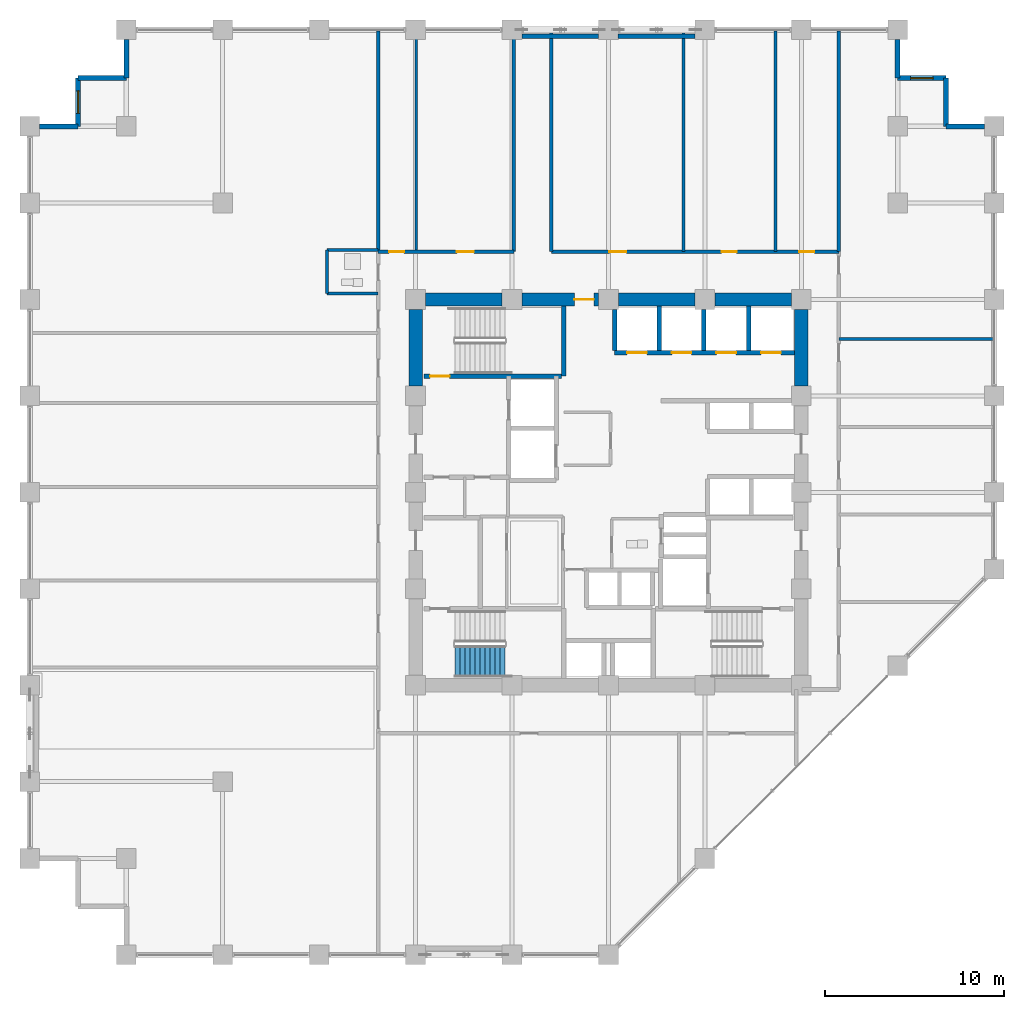
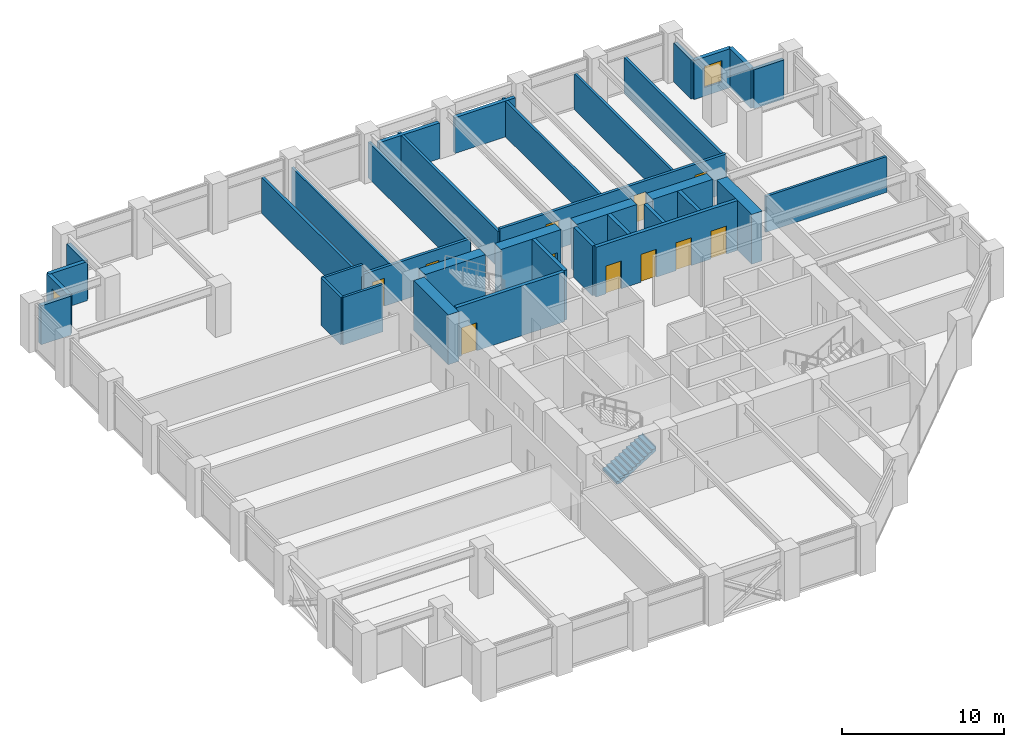
# One storey, part 21 of 25: 36 walls, 11 doors, 2 windows, 1 stair flight, 13 openings, 1 element without a shape of its own.
"""IFC4 building model written with IfcOpenShell, lengths in metres."""

import ifcopenshell
import ifcopenshell.guid

model = None  # the IFC model being written
_history = None  # IfcOwnerHistory: only IFC2X3 demands one
_inside = {}  # id of a spatial element -> (the spatial element, [elements in it])
_under = {}  # id of a project, library or spatial element -> (it, [spatial elements below it])
_declared = {}  # id of a project -> (the project, [libraries it declares])
_typed = {}  # id of a type object -> (the type object, [elements of that type])
_made_of = {}  # id of a material, layer set ... -> (it, [elements and type objects made of it])


def new_model(schema):
    """Start an empty IFC model of exactly this schema.

    Asked for "IFC4X3", IfcOpenShell would pick the latest addendum, in which some entities
    have other attributes; the version numbers below select the first issue.
    IFC2X3 requires an IfcOwnerHistory on every rooted entity: one is made here for all.
    """
    global model, _history
    if schema == "IFC4X3":
        model = ifcopenshell.file(schema_version=(4, 3, 0, 0))
    else:
        model = ifcopenshell.file(schema=schema)
    _inside.clear()
    _under.clear()
    _declared.clear()
    _typed.clear()
    _made_of.clear()
    _history = None
    if model.schema == "IFC2X3":
        org = make("IfcOrganization", Name="unknown")
        user = make(
            "IfcPersonAndOrganization",
            ThePerson=make("IfcPerson", FamilyName="unknown"),
            TheOrganization=org,
        )
        app = make(
            "IfcApplication",
            ApplicationDeveloper=org,
            Version="unknown",
            ApplicationFullName="unknown",
            ApplicationIdentifier="unknown",
        )
        _history = make(
            "IfcOwnerHistory",
            OwningUser=user,
            OwningApplication=app,
            ChangeAction="ADDED",
            CreationDate=0,
        )
    return model


def make(cls, **values):
    """One entity of the class cls with the attributes given. An attribute that is None is left unset."""
    return model.create_entity(
        cls, **{name: value for name, value in values.items() if value is not None}
    )


def rooted(cls, **values):
    """An entity with a GlobalId (a new one), such as an element, a storey or a relation."""
    return make(cls, GlobalId=ifcopenshell.guid.new(), OwnerHistory=_history, **values)


def si_unit(unit_type, name, prefix=None):
    """IfcSIUnit, for example si_unit("LENGTHUNIT", "METRE", prefix="MILLI")."""
    return make("IfcSIUnit", UnitType=unit_type, Prefix=prefix, Name=name)


def assignment(units):
    """IfcUnitAssignment: the units of a project."""
    return None if units is None else make("IfcUnitAssignment", Units=units)


def point(xyz):
    """IfcCartesianPoint."""
    return None if xyz is None else make("IfcCartesianPoint", Coordinates=xyz)


def direction(xyz):
    """IfcDirection."""
    return None if xyz is None else make("IfcDirection", DirectionRatios=xyz)


def frame(location, z_axis=None, x_axis=None):
    """IfcAxis2Placement3D, a coordinate frame: its origin and axes. An axis left out is left unset."""
    return make(
        "IfcAxis2Placement3D",
        Location=point(location),
        Axis=direction(z_axis),
        RefDirection=direction(x_axis),
    )


def frame_2d(location, x_axis=None):
    """IfcAxis2Placement2D, a coordinate frame in the plane: its origin and x axis."""
    return make(
        "IfcAxis2Placement2D", Location=point(location), RefDirection=direction(x_axis)
    )


def origin():
    """The frame at (0, 0, 0) with its axes left unset."""
    return frame((0.0, 0.0, 0.0))


def place(relative_to, where):
    """IfcLocalPlacement: puts the frame where relative to a parent placement (None: the world)."""
    return make(
        "IfcLocalPlacement", PlacementRelTo=relative_to, RelativePlacement=where
    )


def context(
    kind, dimensions, precision=None, world=None, true_north=None, identifier=None
):
    """IfcGeometricRepresentationContext, for example the 3D "Model" context."""
    return make(
        "IfcGeometricRepresentationContext",
        ContextIdentifier=identifier,
        ContextType=kind,
        CoordinateSpaceDimension=dimensions,
        Precision=precision,
        WorldCoordinateSystem=world,
        TrueNorth=true_north,
    )


def subcontext(parent, identifier, kind, view, scale=None):
    """IfcGeometricRepresentationSubContext, for example "Body" below "Model"."""
    return make(
        "IfcGeometricRepresentationSubContext",
        ContextIdentifier=identifier,
        ContextType=kind,
        ParentContext=parent,
        TargetScale=scale,
        TargetView=view,
    )


def project(units=None, contexts=None):
    """IfcProject with its units and contexts."""
    return rooted(
        "IfcProject",
        Name="project",
        RepresentationContexts=contexts,
        UnitsInContext=assignment(units),
    )


def spatial(cls, under=None, at=None, **own):
    """A site, building, storey or space (cls), placed at a placement, below another one or the project."""
    s = rooted(cls, ObjectPlacement=at, **own)
    if under is not None:
        _under.setdefault(under.id(), (under, []))[1].append(s)
    return s


def polyline(points):
    """IfcPolyline through the points."""
    return make("IfcPolyline", Points=[point(p) for p in points])


def profile(cls, at=None, kind="AREA", **sizes):
    """A parametric profile (cls). Its sizes go by their IFC names, for example OverallWidth=200.0."""
    return make(cls, ProfileType=kind, Position=at, **sizes)


def rectangle(**sizes):
    """IfcRectangleProfileDef."""
    return profile("IfcRectangleProfileDef", **sizes)


def outline(outer, holes=None, kind="AREA"):
    """IfcArbitraryClosedProfileDef: a profile drawn as a closed curve; with holes, ...WithVoids."""
    if holes is None:
        return make("IfcArbitraryClosedProfileDef", ProfileType=kind, OuterCurve=outer)
    return make(
        "IfcArbitraryProfileDefWithVoids",
        ProfileType=kind,
        OuterCurve=outer,
        InnerCurves=holes,
    )


def extrude(swept, where, along, depth):
    """IfcExtrudedAreaSolid: the profile swept, set in the frame where, extruded along a direction by depth."""
    return make(
        "IfcExtrudedAreaSolid",
        SweptArea=swept,
        Position=where,
        ExtrudedDirection=direction(along),
        Depth=depth,
    )


def shape(context_of_items, identifier, shape_type, items):
    """IfcShapeRepresentation: the items that make up one representation, for example the "Body"."""
    return make(
        "IfcShapeRepresentation",
        ContextOfItems=context_of_items,
        RepresentationIdentifier=identifier,
        RepresentationType=shape_type,
        Items=items,
    )


def material(Name=None, Category=None):
    """IfcMaterial."""
    return make("IfcMaterial", Name=Name, Category=Category)


def layer(
    of_material, thickness, ventilated=None, Name=None, Category=None, Priority=None
):
    """IfcMaterialLayer: one layer of a wall or slab, of a material (None: an air gap)."""
    return make(
        "IfcMaterialLayer",
        Material=of_material,
        LayerThickness=thickness,
        IsVentilated=ventilated,
        Name=Name,
        Category=Category,
        Priority=Priority,
    )


def layer_set(layers, Name=None):
    """IfcMaterialLayerSet."""
    return make("IfcMaterialLayerSet", MaterialLayers=layers, LayerSetName=Name)


def made_of(thing, what):
    """Note that an element or type object is made of a material, layer set ...; save() writes the relation."""
    if what is not None:
        _made_of.setdefault(what.id(), (what, []))[1].append(thing)
    return thing


def type_object(cls, material=None, **own):
    """A type object (cls), such as IfcWallType, which elements share."""
    return made_of(rooted(cls, **own), material)


def element(
    cls,
    number,
    at=None,
    inside=None,
    cuts=None,
    type_object=None,
    material=None,
    context=None,
    identifier="Body",
    shape_type=None,
    held_by="IfcProductDefinitionShape",
    body=None,
    shapes=None,
    **own,
):
    """One element of the class cls, such as IfcWall. Its Tag is "e" and its number.

    at: its placement. inside: the storey or other place that contains it. cuts: it is an
    opening in that element (IfcRelVoidsElement). A single representation is given by context,
    identifier, shape_type and body (its items); several are given by shapes. held_by: the class
    of the entity that holds the representations. save() writes the other relations.
    """
    e = rooted(cls, Tag="e%d" % number, ObjectPlacement=at, **own)
    if body is not None:
        shapes = [shape(context, identifier, shape_type, body)]
    if shapes is not None:
        e.Representation = make(held_by, Representations=shapes)
    if inside is not None:
        _inside.setdefault(inside.id(), (inside, []))[1].append(e)
    if cuts is not None:
        rooted(
            "IfcRelVoidsElement", RelatingBuildingElement=cuts, RelatedOpeningElement=e
        )
    if type_object is not None:
        _typed.setdefault(type_object.id(), (type_object, []))[1].append(e)
    return made_of(e, material)


def fill(opening, filler):
    """IfcRelFillsElement: the door or window that sits in an opening."""
    return rooted(
        "IfcRelFillsElement",
        RelatingOpeningElement=opening,
        RelatedBuildingElement=filler,
    )


def aggregate(whole, parts):
    """IfcRelAggregates: a whole, such as a stair, and the parts it consists of."""
    return rooted("IfcRelAggregates", RelatingObject=whole, RelatedObjects=parts)


def save(model, path):
    """Write the relations noted so far, then the file.

    IfcRelAggregates (storeys below a building ...), IfcRelContainedInSpatialStructure (elements
    in a storey), IfcRelDefinesByType, IfcRelAssociatesMaterial and IfcRelDeclares: one each for
    every whole, place, type object, material and project.
    """
    for whole, parts in _under.values():
        aggregate(whole, parts)
    for where, things in _inside.values():
        rooted(
            "IfcRelContainedInSpatialStructure",
            RelatedElements=things,
            RelatingStructure=where,
        )
    for kind, things in _typed.values():
        rooted("IfcRelDefinesByType", RelatedObjects=things, RelatingType=kind)
    for what, things in _made_of.values():
        rooted("IfcRelAssociatesMaterial", RelatedObjects=things, RelatingMaterial=what)
    for by, libraries in _declared.values():
        rooted("IfcRelDeclares", RelatingContext=by, RelatedDefinitions=libraries)
    model.write(path)


model = new_model("IFC4")

# Units and contexts
model_context = context("Model", 3, precision=1e-05, world=origin(), true_north=direction((0.0, 1.0)))
body_context = subcontext(model_context, "Body", "Model", "MODEL_VIEW")
ifc_project = project(units=[si_unit("LENGTHUNIT", "METRE"), si_unit("AREAUNIT", "SQUARE_METRE"), si_unit("VOLUMEUNIT", "CUBIC_METRE"), si_unit("PLANEANGLEUNIT", "RADIAN"), si_unit("MASSUNIT", "GRAM", prefix="KILO")], contexts=[model_context])

# Site, building, storey
site_placement = place(None, origin())
site = spatial("IfcSite", under=ifc_project, at=site_placement, CompositionType="ELEMENT")
building_placement = place(site_placement, origin())
building = spatial("IfcBuilding", under=site, at=building_placement, Name="Surkhivell Harbour Commons", CompositionType="ELEMENT")
storey_placement = place(building_placement, frame((0.0, 0.0, 109.5)))
storey = spatial("IfcBuildingStorey", under=building, at=storey_placement, Name="L28", CompositionType="ELEMENT", Elevation=109.5)

# Wall
ifc_material_1 = material(Name="Concrete C60/75", Category="concrete")
ifc_layer_1 = layer(ifc_material_1, 0.75)
ifc_layer_set_1 = layer_set([ifc_layer_1], Name="Concrete C60/75")
wall_type_1 = type_object("IfcWallType", Name="WAL-CORE-750", PredefinedType="SHEAR", material=ifc_layer_set_1)
wall_1_placement = place(storey_placement, frame((-10.239990234375, 10.800048828125, 0.0), z_axis=(0.0, 0.0, 1.0), x_axis=(1.0, 0.0, 0.0)))
element("IfcWall", 1, at=wall_1_placement, inside=storey, type_object=wall_type_1, Name="L28 Core Shear Wall North 1", PredefinedType="SHEAR", context=body_context, shape_type="SweptSolid", body=[
    extrude(rectangle(XDim=4.280029296875, YDim=0.75, at=frame_2d((2.14013671875, 0.0))), origin(), (0.0, 0.0, 1.0), 3.75),
])

# Wall, opening, door
wall_2_placement = place(storey_placement, frame((-4.840087890625, 10.800048828125, 0.0), z_axis=(0.0, 0.0, 1.0), x_axis=(1.0, 0.0, 0.0)))
wall_2 = element("IfcWall", 2, at=wall_2_placement, inside=storey, type_object=wall_type_1, Name="L28 Core Shear Wall North 2", PredefinedType="SHEAR", context=body_context, shape_type="SweptSolid", body=[
    extrude(rectangle(XDim=4.280029296875, YDim=0.75, at=frame_2d((2.14013671875, 0.0))), origin(), (0.0, 0.0, 1.0), 3.75),
])
opening_1_placement = place(wall_2_placement, frame((2.929931640625, 0.0, 0.0)))
opening_1 = element("IfcOpeningElement", 3, at=opening_1_placement, cuts=wall_2, Name="Opening ID-2", PredefinedType="OPENING", context=body_context, shape_type="SweptSolid", body=[
    extrude(rectangle(XDim=1.10009765625, YDim=2.10009765625, at=frame_2d((0.550048828125, 1.050048828125))), frame((0.0, 0.385009765625, 0.0), z_axis=(0.0, -1.0, 0.0), x_axis=(1.0, 0.0, 0.0)), (0.0, 0.0, 1.0), 0.77001953125),
])
ifc_material_2 = material(Name="Hardwood-veneered fire-rated door leaf", Category="wood")
door_type_1 = type_object("IfcDoorType", Name="DOR-FD60-1100", OperationType="NOTDEFINED", PredefinedType="DOOR", material=ifc_material_2)
door_1_placement = place(opening_1_placement, origin())
door_1 = element("IfcDoor", 4, at=door_1_placement, inside=storey, type_object=door_type_1, Name="L28 Central Core Lift Hall North Corridor Door", OperationType="SINGLE_SWING_LEFT", OverallHeight=2.10009765625, OverallWidth=1.10009765625, PredefinedType="DOOR", context=body_context, shape_type="SweptSolid", body=[
    extrude(rectangle(XDim=1.10009765625, YDim=2.10009765625, at=frame_2d((0.550048828125, 1.050048828125))), frame((0.0, 0.02490234375, 0.0), z_axis=(0.0, -1.0, 0.0), x_axis=(1.0, 0.0, 0.0)), (0.0, 0.0, 1.0), 0.050048828125),
])
fill(opening_1, door_1)

# Walls
for number, where, z_axis, x_axis, name in (
    (5, (0.56005859375, 10.800048828125, 0.0), (0.0, 0.0, 1.0), (1.0, 0.0, 0.0), "L28 Core Shear Wall North 3"),
    (6, (5.9599609375, 10.800048828125, 0.0), (0.0, 0.0, 1.0), (1.0, 0.0, 0.0), "L28 Core Shear Wall North 4"),
    (7, (-10.800048828125, 5.9599609375, 0.0), (0.0, 0.0, 1.0), (0.0, 1.0, 0.0), "L28 Core Shear Wall West 4"),
    (8, (10.800048828125, 5.9599609375, 0.0), (0.0, 0.0, 1.0), (0.0, 1.0, 0.0), "L28 Core Shear Wall East 4"),
):
    element("IfcWall", number, at=place(storey_placement, frame(where, z_axis=z_axis, x_axis=x_axis)), inside=storey, type_object=wall_type_1, Name=name, PredefinedType="SHEAR", context=body_context, shape_type="SweptSolid", body=[
        extrude(rectangle(XDim=4.280029296875, YDim=0.75, at=frame_2d((2.14013671875, 0.0))), origin(), (0.0, 0.0, 1.0), 3.75),
    ])
ifc_material_3 = material(Name="Pale-metal insulated precast concrete C45/55", Category="concrete")
ifc_layer_2 = layer(ifc_material_3, 0.260009765625)
ifc_layer_set_2 = layer_set([ifc_layer_2], Name="Pale-metal insulated precast concrete C45/55")
wall_type_2 = type_object("IfcWallType", Name="WAL-EXT-MTL260", PredefinedType="STANDARD", material=ifc_layer_set_2)
for number, where, z_axis, x_axis, name in (
    (9, (-0.548095703125, 25.5400390625, 0.0), (0.0, 0.0, 1.0), (-1.0, 0.0, 0.0), "L28 Braced-Bay Insulated Spandrel Backing N"),
    (10, (4.85205078125, 25.5400390625, 0.0), (0.0, 0.0, 1.0), (-1.0, 0.0, 0.0), "L28 Braced-Bay Insulated Spandrel Backing N2"),
):
    element("IfcWall", number, at=place(storey_placement, frame(where, z_axis=z_axis, x_axis=x_axis)), inside=storey, type_object=wall_type_2, Name=name, PredefinedType="STANDARD", context=body_context, shape_type="SweptSolid", body=[
        extrude(rectangle(XDim=4.303955078125, YDim=0.260009765625, at=frame_2d((2.15185546875, 0.0))), origin(), (0.0, 0.0, 1.0), 2.698974609375),
    ])
ifc_material_4 = material(Name="Terracotta-clad reinforced concrete C45/55", Category="masonry")
ifc_layer_3 = layer(ifc_material_4, 0.280029296875)
ifc_layer_set_3 = layer_set([ifc_layer_3], Name="Terracotta-clad reinforced concrete C45/55")
wall_type_3 = type_object("IfcWallType", Name="WAL-EXT-TER280", PredefinedType="STANDARD", material=ifc_layer_set_3)
wall_3_placement = place(storey_placement, frame((21.052001953125, 20.5, 0.0), z_axis=(0.0, 0.0, 1.0), x_axis=(-1.0, 0.0, 0.0)))
element("IfcWall", 11, at=wall_3_placement, inside=storey, type_object=wall_type_3, Name="L28 Serrated Corner Facade Wall 03", PredefinedType="STANDARD", context=body_context, shape_type="SweptSolid", body=[
    extrude(rectangle(XDim=2.152099609375, YDim=0.280029296875, at=frame_2d((1.076171875, 0.0))), origin(), (0.0, 0.0, 1.0), 2.93310546875),
])
wall_4_placement = place(storey_placement, frame((18.89990234375, 20.5, 0.0), z_axis=(0.0, 0.0, 1.0), x_axis=(0.0, 1.0, 0.0)))
element("IfcWall", 12, at=wall_4_placement, inside=storey, type_object=wall_type_3, Name="L28 Serrated Corner Facade Wall 04", PredefinedType="STANDARD", context=body_context, shape_type="SweptSolid", body=[
    extrude(rectangle(XDim=2.699951171875, YDim=0.280029296875, at=frame_2d((1.35009765625, 0.0))), origin(), (0.0, 0.0, 1.0), 2.93310546875),
])

# Wall, opening, window
wall_5_placement = place(storey_placement, frame((18.89990234375, 23.199951171875, 0.0), z_axis=(0.0, 0.0, 1.0), x_axis=(-1.0, 0.0, 0.0)))
wall_5 = element("IfcWall", 13, at=wall_5_placement, inside=storey, type_object=wall_type_3, Name="L28 Serrated Corner Facade Wall 05", PredefinedType="STANDARD", context=body_context, shape_type="SweptSolid", body=[
    extrude(rectangle(XDim=2.699951171875, YDim=0.280029296875, at=frame_2d((1.35009765625, 0.0))), origin(), (0.0, 0.0, 1.0), 2.93310546875),
])
opening_2_placement = place(wall_5_placement, frame((0.72509765625, 0.0, 0.64990234375)))
opening_2 = element("IfcOpeningElement", 14, at=opening_2_placement, cuts=wall_5, Name="Opening WN-09", PredefinedType="OPENING", context=body_context, shape_type="SweptSolid", body=[
    extrude(rectangle(XDim=1.25, YDim=1.60009765625, at=frame_2d((0.625, 0.800048828125))), frame((0.0, 0.14990234375, 0.0), z_axis=(0.0, -1.0, 0.0), x_axis=(1.0, 0.0, 0.0)), (0.0, 0.0, 1.0), 0.300048828125),
])
ifc_material_5 = material(Name="Thermal-break aluminium frame and double low-E glazing", Category="aluminium")
window_type = type_object("IfcWindowType", Name="WIN-SER-1250x1600", PartitioningType="SINGLE_PANEL", PredefinedType="WINDOW", material=ifc_material_5)
window_1_placement = place(opening_2_placement, origin())
window_1 = element("IfcWindow", 15, at=window_1_placement, inside=storey, type_object=window_type, Name="L28 Serrated Alcove Window 05", OverallHeight=1.60009765625, OverallWidth=1.25, PartitioningType="SINGLE_PANEL", PredefinedType="WINDOW", context=body_context, shape_type="SweptSolid", body=[
    extrude(rectangle(XDim=1.25, YDim=1.60009765625, at=frame_2d((0.625, 0.800048828125))), frame((0.0, 0.030029296875, 0.0), z_axis=(0.0, -1.0, 0.0), x_axis=(1.0, 0.0, 0.0)), (0.0, 0.0, 1.0), 0.06005859375),
])
fill(opening_2, window_1)

# Walls
for number, where, z_axis, x_axis, name in (
    (16, (16.199951171875, 23.199951171875, 0.0), (0.0, 0.0, 1.0), (0.0, 1.0, 0.0), "L28 Serrated Corner Facade Wall 06"),
    (17, (-27.0, 25.35205078125, 0.0), (0.0, 0.0, 1.0), (0.0, -1.0, 0.0), "L28 Serrated Corner Facade Wall 08"),
):
    element("IfcWall", number, at=place(storey_placement, frame(where, z_axis=z_axis, x_axis=x_axis)), inside=storey, type_object=wall_type_3, Name=name, PredefinedType="STANDARD", context=body_context, shape_type="SweptSolid", body=[
        extrude(rectangle(XDim=2.152099609375, YDim=0.280029296875, at=frame_2d((1.076171875, 0.0))), origin(), (0.0, 0.0, 1.0), 2.93310546875),
    ])
wall_6_placement = place(storey_placement, frame((-27.0, 23.199951171875, 0.0), z_axis=(0.0, 0.0, 1.0), x_axis=(-1.0, 0.0, 0.0)))
element("IfcWall", 18, at=wall_6_placement, inside=storey, type_object=wall_type_3, Name="L28 Serrated Corner Facade Wall 09", PredefinedType="STANDARD", context=body_context, shape_type="SweptSolid", body=[
    extrude(rectangle(XDim=2.699951171875, YDim=0.280029296875, at=frame_2d((1.35009765625, 0.0))), origin(), (0.0, 0.0, 1.0), 2.93310546875),
])

# Wall, opening, window
wall_7_placement = place(storey_placement, frame((-29.699951171875, 23.199951171875, 0.0), z_axis=(0.0, 0.0, 1.0), x_axis=(0.0, -1.0, 0.0)))
wall_7 = element("IfcWall", 19, at=wall_7_placement, inside=storey, type_object=wall_type_3, Name="L28 Serrated Corner Facade Wall 10", PredefinedType="STANDARD", context=body_context, shape_type="SweptSolid", body=[
    extrude(rectangle(XDim=2.699951171875, YDim=0.280029296875, at=frame_2d((1.35009765625, 0.0))), origin(), (0.0, 0.0, 1.0), 2.93310546875),
])
opening_3_placement = place(wall_7_placement, frame((0.72509765625, 0.0, 0.64990234375)))
opening_3 = element("IfcOpeningElement", 20, at=opening_3_placement, cuts=wall_7, Name="Opening WN-09", PredefinedType="OPENING", context=body_context, shape_type="SweptSolid", body=[
    extrude(rectangle(XDim=1.25, YDim=1.60009765625, at=frame_2d((0.625, 0.800048828125))), frame((0.0, 0.14990234375, 0.0), z_axis=(0.0, -1.0, 0.0), x_axis=(1.0, 0.0, 0.0)), (0.0, 0.0, 1.0), 0.300048828125),
])
window_2_placement = place(opening_3_placement, origin())
window_2 = element("IfcWindow", 21, at=window_2_placement, inside=storey, type_object=window_type, Name="L28 Serrated Alcove Window 10", OverallHeight=1.60009765625, OverallWidth=1.25, PartitioningType="SINGLE_PANEL", PredefinedType="WINDOW", context=body_context, shape_type="SweptSolid", body=[
    extrude(rectangle(XDim=1.25, YDim=1.60009765625, at=frame_2d((0.625, 0.800048828125))), frame((0.0, 0.030029296875, 0.0), z_axis=(0.0, -1.0, 0.0), x_axis=(1.0, 0.0, 0.0)), (0.0, 0.0, 1.0), 0.06005859375),
])
fill(opening_3, window_2)

# Walls
wall_8_placement = place(storey_placement, frame((-29.699951171875, 20.5, 0.0), z_axis=(0.0, 0.0, 1.0), x_axis=(-1.0, 0.0, 0.0)))
element("IfcWall", 22, at=wall_8_placement, inside=storey, type_object=wall_type_3, Name="L28 Serrated Corner Facade Wall 11", PredefinedType="STANDARD", context=body_context, shape_type="SweptSolid", body=[
    extrude(rectangle(XDim=2.152099609375, YDim=0.280029296875, at=frame_2d((1.076171875, 0.0))), origin(), (0.0, 0.0, 1.0), 2.93310546875),
])
ifc_material_6 = material(Name="Twin-stud acoustic fireboard partition", Category="other")
ifc_layer_4 = layer(ifc_material_6, 0.14990234375)
ifc_layer_set_4 = layer_set([ifc_layer_4], Name="Twin-stud acoustic fireboard partition")
wall_type_4 = type_object("IfcWallType", Name="WAL-INT-150", PredefinedType="PARTITIONING", material=ifc_layer_set_4)
wall_9_placement = place(storey_placement, frame((-10.77001953125, 13.47998046875, 0.0), z_axis=(0.0, 0.0, 1.0), x_axis=(0.0, 1.0, 0.0)))
element("IfcWall", 23, at=wall_9_placement, inside=storey, type_object=wall_type_4, Name="L28 North-West Partition P1", PredefinedType="PARTITIONING", context=body_context, shape_type="SweptSolid", body=[
    extrude(rectangle(XDim=12.360107421875, YDim=0.14990234375, at=frame_2d((6.18017578125, 0.0))), origin(), (0.0, 0.0, 1.0), 2.698974609375),
])
ifc_material_7 = material(Name="High-density acoustic blockwork fire partition", Category="masonry")
ifc_layer_5 = layer(ifc_material_7, 0.175048828125)
ifc_layer_set_5 = layer_set([ifc_layer_5], Name="High-density acoustic blockwork fire partition")
wall_type_5 = type_object("IfcWallType", Name="WAL-INT-175", PredefinedType="PARTITIONING", material=ifc_layer_set_5)
wall_10_placement = place(storey_placement, frame((12.89990234375, 8.580078125, 0.0), z_axis=(0.0, 0.0, 1.0), x_axis=(1.0, 0.0, 0.0)))
element("IfcWall", 24, at=wall_10_placement, inside=storey, type_object=wall_type_5, Name="L28 East Partition P4", PredefinedType="PARTITIONING", context=body_context, shape_type="SweptSolid", body=[
    extrude(rectangle(XDim=8.64013671875, YDim=0.175048828125, at=frame_2d((4.320068359375, 0.0))), origin(), (0.0, 0.0, 1.0), 2.698974609375),
])
for number, where, z_axis, x_axis, name in (
    (25, (4.2099609375, 13.47998046875, 0.0), (0.0, 0.0, 1.0), (0.0, 1.0, 0.0), "L28 North-East Partition P1"),
    (26, (9.360107421875, 13.47998046875, 0.0), (0.0, 0.0, 1.0), (0.0, 1.0, 0.0), "L28 North-East Partition P2"),
):
    element("IfcWall", number, at=place(storey_placement, frame(where, z_axis=z_axis, x_axis=x_axis)), inside=storey, type_object=wall_type_5, Name=name, PredefinedType="PARTITIONING", context=body_context, shape_type="SweptSolid", body=[
        extrude(rectangle(XDim=12.360107421875, YDim=0.175048828125, at=frame_2d((6.18017578125, 0.0))), origin(), (0.0, 0.0, 1.0), 2.698974609375),
    ])
wall_11_placement = place(storey_placement, frame((-15.75, 11.1298828125, 0.0), z_axis=(0.0, 0.0, 1.0), x_axis=(0.0, 1.0, 0.0)))
element("IfcWall", 27, at=wall_11_placement, inside=storey, type_object=wall_type_5, Name="L28 West Partition BTHB", PredefinedType="PARTITIONING", context=body_context, shape_type="SweptSolid", body=[
    extrude(rectangle(XDim=2.4501953125, YDim=0.175048828125, at=frame_2d((1.22509765625, 0.0))), origin(), (0.0, 0.0, 1.0), 3.570068359375),
])
for number, where, z_axis, x_axis, name in (
    (28, (-15.75, 13.580078125, 0.0), (0.0, 0.0, 1.0), (1.0, 0.0, 0.0), "L28 West Partition BTHN"),
    (29, (-15.75, 11.1298828125, 0.0), (0.0, 0.0, 1.0), (1.0, 0.0, 0.0), "L28 West Partition BTHS"),
):
    element("IfcWall", number, at=place(storey_placement, frame(where, z_axis=z_axis, x_axis=x_axis)), inside=storey, type_object=wall_type_5, Name=name, PredefinedType="PARTITIONING", context=body_context, shape_type="SweptSolid", body=[
        extrude(rectangle(XDim=2.85009765625, YDim=0.175048828125, at=frame_2d((1.425048828125, 0.0))), origin(), (0.0, 0.0, 1.0), 3.570068359375),
    ])
ifc_material_8 = material(Name="Autoclaved aerated concrete blockwork and fire plaster", Category="masonry")
ifc_layer_6 = layer(ifc_material_8, 0.199951171875)
ifc_layer_set_6 = layer_set([ifc_layer_6], Name="Autoclaved aerated concrete blockwork and fire plaster")
wall_type_6 = type_object("IfcWallType", Name="WAL-INT-200", PredefinedType="PARTITIONING", material=ifc_layer_set_6)
for number, where, z_axis, x_axis, name in (
    (30, (12.89990234375, 13.47998046875, 0.0), (0.0, 0.0, 1.0), (0.0, 1.0, 0.0), "L28 North-East Wing Corner Divider"),
    (31, (-12.89990234375, 13.47998046875, 0.0), (0.0, 0.0, 1.0), (0.0, 1.0, 0.0), "L28 North-West Wing Corner Divider"),
):
    element("IfcWall", number, at=place(storey_placement, frame(where, z_axis=z_axis, x_axis=x_axis)), inside=storey, type_object=wall_type_6, Name=name, PredefinedType="PARTITIONING", context=body_context, shape_type="SweptSolid", body=[
        extrude(rectangle(XDim=12.360107421875, YDim=0.199951171875, at=frame_2d((6.18017578125, 0.0))), origin(), (0.0, 0.0, 1.0), 2.698974609375),
    ])

# Wall, openings, doors
wall_12_placement = place(storey_placement, frame((-12.89990234375, 13.47998046875, 0.0), z_axis=(0.0, 0.0, 1.0), x_axis=(1.0, 0.0, 0.0)))
wall_12 = element("IfcWall", 32, at=wall_12_placement, inside=storey, type_object=wall_type_6, Name="L28 Corridor North-West Wall", PredefinedType="PARTITIONING", context=body_context, shape_type="SweptSolid", body=[
    extrude(rectangle(XDim=7.599853515625, YDim=0.199951171875, at=frame_2d((3.7998046875, 0.0))), origin(), (0.0, 0.0, 1.0), 2.93310546875),
])
opening_4_placement = place(wall_12_placement, frame((0.614990234375, 0.0, 0.0)))
opening_4 = element("IfcOpeningElement", 33, at=opening_4_placement, cuts=wall_12, Name="Opening ID-6", PredefinedType="OPENING", context=body_context, shape_type="SweptSolid", body=[
    extrude(rectangle(XDim=0.85009765625, YDim=2.10009765625, at=frame_2d((0.425048828125, 1.050048828125))), frame((0.0, 0.10986328125, 0.0), z_axis=(0.0, -1.0, 0.0), x_axis=(1.0, 0.0, 0.0)), (0.0, 0.0, 1.0), 0.219970703125),
])
opening_5_placement = place(wall_12_placement, frame((4.4150390625, 0.0, 0.0)))
opening_5 = element("IfcOpeningElement", 34, at=opening_5_placement, cuts=wall_12, Name="Opening ID-4", PredefinedType="OPENING", context=body_context, shape_type="SweptSolid", body=[
    extrude(rectangle(XDim=0.949951171875, YDim=2.10009765625, at=frame_2d((0.47509765625, 1.050048828125))), frame((0.0, 0.10986328125, 0.0), z_axis=(0.0, -1.0, 0.0), x_axis=(1.0, 0.0, 0.0)), (0.0, 0.0, 1.0), 0.219970703125),
])
door_type_2 = type_object("IfcDoorType", Name="DOR-FD30-850", OperationType="NOTDEFINED", PredefinedType="DOOR", material=ifc_material_2)
door_2_placement = place(opening_4_placement, origin())
door_2 = element("IfcDoor", 35, at=door_2_placement, inside=storey, type_object=door_type_2, Name="L28 Shared Communal Kitchen A North-West Door", OperationType="SINGLE_SWING_RIGHT", OverallHeight=2.10009765625, OverallWidth=0.85009765625, PredefinedType="DOOR", context=body_context, shape_type="SweptSolid", body=[
    extrude(rectangle(XDim=0.85009765625, YDim=2.10009765625, at=frame_2d((0.425048828125, 1.050048828125))), frame((0.0, 0.02490234375, 0.0), z_axis=(0.0, -1.0, 0.0), x_axis=(1.0, 0.0, 0.0)), (0.0, 0.0, 1.0), 0.050048828125),
])
fill(opening_4, door_2)
door_type_3 = type_object("IfcDoorType", Name="DOR-FD60-950", OperationType="NOTDEFINED", PredefinedType="DOOR", material=ifc_material_2)
door_3_placement = place(opening_5_placement, origin())
door_3 = element("IfcDoor", 36, at=door_3_placement, inside=storey, type_object=door_type_3, Name="L28 Shared Communal Kitchen B North-West Door", OperationType="SINGLE_SWING_LEFT", OverallHeight=2.10009765625, OverallWidth=0.949951171875, PredefinedType="DOOR", context=body_context, shape_type="SweptSolid", body=[
    extrude(rectangle(XDim=0.949951171875, YDim=2.10009765625, at=frame_2d((0.47509765625, 1.050048828125))), frame((0.0, 0.02490234375, 0.0), z_axis=(0.0, -1.0, 0.0), x_axis=(1.0, 0.0, 0.0)), (0.0, 0.0, 1.0), 0.050048828125),
])
fill(opening_5, door_3)

wall_13_placement = place(storey_placement, frame((-3.199951171875, 13.47998046875, 0.0), z_axis=(0.0, 0.0, 1.0), x_axis=(1.0, 0.0, 0.0)))
wall_13 = element("IfcWall", 37, at=wall_13_placement, inside=storey, type_object=wall_type_6, Name="L28 Corridor North-East Wall", PredefinedType="PARTITIONING", context=body_context, shape_type="SweptSolid", body=[
    extrude(rectangle(XDim=16.099853515625, YDim=0.199951171875, at=frame_2d((8.0498046875, 0.0))), origin(), (0.0, 0.0, 1.0), 2.93310546875),
])
opening_6_placement = place(wall_13_placement, frame((3.2548828125, 0.0, 0.0)))
opening_6 = element("IfcOpeningElement", 38, at=opening_6_placement, cuts=wall_13, Name="Opening ID-4", PredefinedType="OPENING", context=body_context, shape_type="SweptSolid", body=[
    extrude(rectangle(XDim=0.949951171875, YDim=2.10009765625, at=frame_2d((0.47509765625, 1.050048828125))), frame((0.0, 0.10986328125, 0.0), z_axis=(0.0, -1.0, 0.0), x_axis=(1.0, 0.0, 0.0)), (0.0, 0.0, 1.0), 0.219970703125),
])
opening_7_placement = place(wall_13_placement, frame((9.534912109375, 0.0, 0.0)))
opening_7 = element("IfcOpeningElement", 39, at=opening_7_placement, cuts=wall_13, Name="Opening ID-6", PredefinedType="OPENING", context=body_context, shape_type="SweptSolid", body=[
    extrude(rectangle(XDim=0.85009765625, YDim=2.10009765625, at=frame_2d((0.425048828125, 1.050048828125))), frame((0.0, 0.10986328125, 0.0), z_axis=(0.0, -1.0, 0.0), x_axis=(1.0, 0.0, 0.0)), (0.0, 0.0, 1.0), 0.219970703125),
])
opening_8_placement = place(wall_13_placement, frame((13.8798828125, 0.0, 0.0)))
opening_8 = element("IfcOpeningElement", 40, at=opening_8_placement, cuts=wall_13, Name="Opening ID-6", PredefinedType="OPENING", context=body_context, shape_type="SweptSolid", body=[
    extrude(rectangle(XDim=0.85009765625, YDim=2.10009765625, at=frame_2d((0.425048828125, 1.050048828125))), frame((0.0, 0.10986328125, 0.0), z_axis=(0.0, -1.0, 0.0), x_axis=(1.0, 0.0, 0.0)), (0.0, 0.0, 1.0), 0.219970703125),
])
door_4_placement = place(opening_7_placement, origin())
door_4 = element("IfcDoor", 41, at=door_4_placement, inside=storey, type_object=door_type_2, Name="L28 Resident Social Lounge 2 North-East Door", OperationType="SINGLE_SWING_LEFT", OverallHeight=2.10009765625, OverallWidth=0.85009765625, PredefinedType="DOOR", context=body_context, shape_type="SweptSolid", body=[
    extrude(rectangle(XDim=0.85009765625, YDim=2.10009765625, at=frame_2d((0.425048828125, 1.050048828125))), frame((0.0, 0.02490234375, 0.0), z_axis=(0.0, -1.0, 0.0), x_axis=(1.0, 0.0, 0.0)), (0.0, 0.0, 1.0), 0.050048828125),
])
fill(opening_7, door_4)
door_5_placement = place(opening_8_placement, origin())
door_5 = element("IfcDoor", 42, at=door_5_placement, inside=storey, type_object=door_type_2, Name="L28 Resident Social Lounge 3 North-East Door", OperationType="SINGLE_SWING_RIGHT", OverallHeight=2.10009765625, OverallWidth=0.85009765625, PredefinedType="DOOR", context=body_context, shape_type="SweptSolid", body=[
    extrude(rectangle(XDim=0.85009765625, YDim=2.10009765625, at=frame_2d((0.425048828125, 1.050048828125))), frame((0.0, 0.02490234375, 0.0), z_axis=(0.0, -1.0, 0.0), x_axis=(1.0, 0.0, 0.0)), (0.0, 0.0, 1.0), 0.050048828125),
])
fill(opening_8, door_5)
door_6_placement = place(opening_6_placement, origin())
door_6 = element("IfcDoor", 43, at=door_6_placement, inside=storey, type_object=door_type_3, Name="L28 Harbour Social Lounge North-East Door", OperationType="SINGLE_SWING_RIGHT", OverallHeight=2.10009765625, OverallWidth=0.949951171875, PredefinedType="DOOR", context=body_context, shape_type="SweptSolid", body=[
    extrude(rectangle(XDim=0.949951171875, YDim=2.10009765625, at=frame_2d((0.47509765625, 1.050048828125))), frame((0.0, 0.02490234375, 0.0), z_axis=(0.0, -1.0, 0.0), x_axis=(1.0, 0.0, 0.0)), (0.0, 0.0, 1.0), 0.050048828125),
])
fill(opening_6, door_6)

# Walls
for number, where, z_axis, x_axis, name in (
    (44, (-3.199951171875, 13.47998046875, 0.0), (0.0, 0.0, 1.0), (0.0, 1.0, 0.0), "L28 North Alcove East Wall"),
    (45, (-5.300048828125, 13.47998046875, 0.0), (0.0, 0.0, 1.0), (0.0, 1.0, 0.0), "L28 North Alcove West Wall"),
):
    element("IfcWall", number, at=place(storey_placement, frame(where, z_axis=z_axis, x_axis=x_axis)), inside=storey, type_object=wall_type_6, Name=name, PredefinedType="PARTITIONING", context=body_context, shape_type="SweptSolid", body=[
        extrude(rectangle(XDim=12.360107421875, YDim=0.199951171875, at=frame_2d((6.18017578125, 0.0))), origin(), (0.0, 0.0, 1.0), 2.698974609375),
    ])
ifc_material_9 = material(Name="Concrete C50/60", Category="concrete")
ifc_layer_7 = layer(ifc_material_9, 0.25)
ifc_layer_set_7 = layer_set([ifc_layer_7], Name="Concrete C50/60")
wall_type_7 = type_object("IfcWallType", Name="WAL-SHAFT-250", PredefinedType="SHEAR", material=ifc_layer_set_7)
wall_14_placement = place(storey_placement, frame((2.85009765625, 7.93994140625, 0.0), z_axis=(0.0, 0.0, 1.0), x_axis=(0.0, 1.0, 0.0)))
element("IfcWall", 46, at=wall_14_placement, inside=storey, type_object=wall_type_7, Name="L28 Low-Rise Hoistway Wall", PredefinedType="SHEAR", context=body_context, shape_type="SweptSolid", body=[
    extrude(rectangle(XDim=2.485107421875, YDim=0.25, at=frame_2d((1.24267578125, 0.0))), origin(), (0.0, 0.0, 1.0), 3.75),
])
for number, where, z_axis, x_axis, name in (
    (47, (0.35009765625, 7.93994140625, 0.0), (0.0, 0.0, 1.0), (0.0, 1.0, 0.0), "L28 Low-Rise Hoistway Wall"),
    (48, (5.35009765625, 7.93994140625, 0.0), (0.0, 0.0, 1.0), (0.0, 1.0, 0.0), "L28 Low-Rise Hoistway Wall"),
):
    element("IfcWall", number, at=place(storey_placement, frame(where, z_axis=z_axis, x_axis=x_axis)), inside=storey, type_object=wall_type_7, Name=name, PredefinedType="SHEAR", context=body_context, shape_type="SweptSolid", body=[
        extrude(rectangle(XDim=2.31005859375, YDim=0.25, at=frame_2d((1.155029296875, 0.0))), origin(), (0.0, 0.0, 1.0), 3.75),
    ])
wall_15_placement = place(storey_placement, frame((7.85009765625, 7.93994140625, 0.0), z_axis=(0.0, 0.0, 1.0), x_axis=(0.0, 1.0, 0.0)))
element("IfcWall", 49, at=wall_15_placement, inside=storey, type_object=wall_type_7, Name="L28 Low-Rise Hoistway Wall", PredefinedType="SHEAR", context=body_context, shape_type="SweptSolid", body=[
    extrude(rectangle(XDim=2.485107421875, YDim=0.25, at=frame_2d((1.24267578125, 0.0))), origin(), (0.0, 0.0, 1.0), 3.75),
])

# Wall, openings, doors
wall_16_placement = place(storey_placement, frame((0.35009765625, 7.820068359375, 0.0), z_axis=(0.0, 0.0, 1.0), x_axis=(1.0, 0.0, 0.0)))
wall_16 = element("IfcWall", 50, at=wall_16_placement, inside=storey, type_object=wall_type_7, Name="L28 Low-Rise Lift Front Shaft Wall", PredefinedType="SHEAR", context=body_context, shape_type="SweptSolid", body=[
    extrude(rectangle(XDim=10.074951171875, YDim=0.25, at=frame_2d((5.03759765625, 0.0))), origin(), (0.0, 0.0, 1.0), 3.75),
])
opening_9_placement = place(wall_16_placement, frame((0.699951171875, 0.0, 0.0)))
opening_9 = element("IfcOpeningElement", 51, at=opening_9_placement, cuts=wall_16, Name="Opening LD-1", PredefinedType="OPENING", context=body_context, shape_type="SweptSolid", body=[
    extrude(rectangle(XDim=1.10009765625, YDim=2.10009765625, at=frame_2d((0.550048828125, 1.050048828125))), frame((0.0, 0.135009765625, 0.0), z_axis=(0.0, -1.0, 0.0), x_axis=(1.0, 0.0, 0.0)), (0.0, 0.0, 1.0), 0.27001953125),
])
opening_10_placement = place(wall_16_placement, frame((3.199951171875, 0.0, 0.0)))
opening_10 = element("IfcOpeningElement", 52, at=opening_10_placement, cuts=wall_16, Name="Opening LD-1", PredefinedType="OPENING", context=body_context, shape_type="SweptSolid", body=[
    extrude(rectangle(XDim=1.10009765625, YDim=2.10009765625, at=frame_2d((0.550048828125, 1.050048828125))), frame((0.0, 0.135009765625, 0.0), z_axis=(0.0, -1.0, 0.0), x_axis=(1.0, 0.0, 0.0)), (0.0, 0.0, 1.0), 0.27001953125),
])
opening_11_placement = place(wall_16_placement, frame((5.699951171875, 0.0, 0.0)))
opening_11 = element("IfcOpeningElement", 53, at=opening_11_placement, cuts=wall_16, Name="Opening LD-1", PredefinedType="OPENING", context=body_context, shape_type="SweptSolid", body=[
    extrude(rectangle(XDim=1.10009765625, YDim=2.10009765625, at=frame_2d((0.550048828125, 1.050048828125))), frame((0.0, 0.135009765625, 0.0), z_axis=(0.0, -1.0, 0.0), x_axis=(1.0, 0.0, 0.0)), (0.0, 0.0, 1.0), 0.27001953125),
])
opening_12_placement = place(wall_16_placement, frame((8.199951171875, 0.0, 0.0)))
opening_12 = element("IfcOpeningElement", 54, at=opening_12_placement, cuts=wall_16, Name="Opening LD-1", PredefinedType="OPENING", context=body_context, shape_type="SweptSolid", body=[
    extrude(rectangle(XDim=1.10009765625, YDim=2.10009765625, at=frame_2d((0.550048828125, 1.050048828125))), frame((0.0, 0.135009765625, 0.0), z_axis=(0.0, -1.0, 0.0), x_axis=(1.0, 0.0, 0.0)), (0.0, 0.0, 1.0), 0.27001953125),
])
ifc_material_10 = material(Name="Brushed stainless steel S355", Category="steel")
door_type_4 = type_object("IfcDoorType", Name="DOR-LD-1100", OperationType="SLIDING_TO_LEFT", PredefinedType="DOOR", material=ifc_material_10)
door_7_placement = place(opening_9_placement, origin())
door_7 = element("IfcDoor", 55, at=door_7_placement, inside=storey, type_object=door_type_4, Name="L28 Lift Landing Door LD-PL1", OperationType="SLIDING_TO_LEFT", OverallHeight=2.10009765625, OverallWidth=1.10009765625, PredefinedType="DOOR", context=body_context, shape_type="SweptSolid", body=[
    extrude(rectangle(XDim=1.10009765625, YDim=2.10009765625, at=frame_2d((0.550048828125, 1.050048828125))), frame((0.0, 0.02490234375, 0.0), z_axis=(0.0, -1.0, 0.0), x_axis=(1.0, 0.0, 0.0)), (0.0, 0.0, 1.0), 0.050048828125),
])
fill(opening_9, door_7)
door_8_placement = place(opening_10_placement, origin())
door_8 = element("IfcDoor", 56, at=door_8_placement, inside=storey, type_object=door_type_4, Name="L28 Lift Landing Door LD-PL2", OperationType="SLIDING_TO_LEFT", OverallHeight=2.10009765625, OverallWidth=1.10009765625, PredefinedType="DOOR", context=body_context, shape_type="SweptSolid", body=[
    extrude(rectangle(XDim=1.10009765625, YDim=2.10009765625, at=frame_2d((0.550048828125, 1.050048828125))), frame((0.0, 0.02490234375, 0.0), z_axis=(0.0, -1.0, 0.0), x_axis=(1.0, 0.0, 0.0)), (0.0, 0.0, 1.0), 0.050048828125),
])
fill(opening_10, door_8)
door_9_placement = place(opening_11_placement, origin())
door_9 = element("IfcDoor", 57, at=door_9_placement, inside=storey, type_object=door_type_4, Name="L28 Lift Landing Door LD-PL3", OperationType="SLIDING_TO_LEFT", OverallHeight=2.10009765625, OverallWidth=1.10009765625, PredefinedType="DOOR", context=body_context, shape_type="SweptSolid", body=[
    extrude(rectangle(XDim=1.10009765625, YDim=2.10009765625, at=frame_2d((0.550048828125, 1.050048828125))), frame((0.0, 0.02490234375, 0.0), z_axis=(0.0, -1.0, 0.0), x_axis=(1.0, 0.0, 0.0)), (0.0, 0.0, 1.0), 0.050048828125),
])
fill(opening_11, door_9)
door_10_placement = place(opening_12_placement, origin())
door_10 = element("IfcDoor", 58, at=door_10_placement, inside=storey, type_object=door_type_4, Name="L28 Lift Landing Door LD-PL4", OperationType="SLIDING_TO_LEFT", OverallHeight=2.10009765625, OverallWidth=1.10009765625, PredefinedType="DOOR", context=body_context, shape_type="SweptSolid", body=[
    extrude(rectangle(XDim=1.10009765625, YDim=2.10009765625, at=frame_2d((0.550048828125, 1.050048828125))), frame((0.0, 0.02490234375, 0.0), z_axis=(0.0, -1.0, 0.0), x_axis=(1.0, 0.0, 0.0)), (0.0, 0.0, 1.0), 0.050048828125),
])
fill(opening_12, door_10)

# Wall
wall_17_placement = place(storey_placement, frame((-2.510009765625, 6.510009765625, 0.0), z_axis=(0.0, 0.0, 1.0), x_axis=(0.0, 1.0, 0.0)))
element("IfcWall", 59, at=wall_17_placement, inside=storey, type_object=wall_type_7, Name="L28 Stair ST1 East Shear Wall", PredefinedType="SHEAR", context=body_context, shape_type="SweptSolid", body=[
    extrude(rectangle(XDim=3.9150390625, YDim=0.25, at=frame_2d((1.95751953125, 0.0))), origin(), (0.0, 0.0, 1.0), 3.75),
])

# Wall, opening, door
wall_18_placement = place(storey_placement, frame((-10.340087890625, 6.510009765625, 0.0), z_axis=(0.0, 0.0, 1.0), x_axis=(1.0, 0.0, 0.0)))
wall_18 = element("IfcWall", 60, at=wall_18_placement, inside=storey, type_object=wall_type_7, Name="L28 Stair ST1 South Shear Wall", PredefinedType="SHEAR", context=body_context, shape_type="SweptSolid", body=[
    extrude(rectangle(XDim=7.7001953125, YDim=0.25, at=frame_2d((3.85009765625, 0.0))), origin(), (0.0, 0.0, 1.0), 3.75),
])
opening_13_placement = place(wall_18_placement, frame((0.35009765625, 0.0, 0.0)))
opening_13 = element("IfcOpeningElement", 61, at=opening_13_placement, cuts=wall_18, Name="Opening ID-2", PredefinedType="OPENING", context=body_context, shape_type="SweptSolid", body=[
    extrude(rectangle(XDim=1.10009765625, YDim=2.10009765625, at=frame_2d((0.550048828125, 1.050048828125))), frame((0.0, 0.135009765625, 0.0), z_axis=(0.0, -1.0, 0.0), x_axis=(1.0, 0.0, 0.0)), (0.0, 0.0, 1.0), 0.27001953125),
])
door_11_placement = place(opening_13_placement, origin())
door_11 = element("IfcDoor", 62, at=door_11_placement, inside=storey, type_object=door_type_1, Name="L28 Stair ST1 Exit Door", OperationType="SINGLE_SWING_LEFT", OverallHeight=2.10009765625, OverallWidth=1.10009765625, PredefinedType="DOOR", context=body_context, shape_type="SweptSolid", body=[
    extrude(rectangle(XDim=1.10009765625, YDim=2.10009765625, at=frame_2d((0.550048828125, 1.050048828125))), frame((0.0, 0.02490234375, 0.0), z_axis=(0.0, -1.0, 0.0), x_axis=(1.0, 0.0, 0.0)), (0.0, 0.0, 1.0), 0.050048828125),
])
fill(opening_13, door_11)

# Stair, stair flight
ifc_material_11 = material(Name="Precast concrete C45/55", Category="concrete")
stair_type = type_object("IfcStairType", Name="STR-DL-375", PredefinedType="HALF_TURN_STAIR", material=ifc_material_11)
stair_placement = place(storey_placement, origin())
stair = element("IfcStair", 63, at=stair_placement, inside=storey, type_object=stair_type, Name="L28 Core Exit Stair ST3", PredefinedType="HALF_TURN_STAIR")
stair_flight_type = type_object("IfcStairFlightType", Name="STF-DL-375", PredefinedType="STRAIGHT", material=ifc_material_11)
stair_flight_placement = place(storey_placement, frame((-8.590087890625, -9.465087890625, 0.0), z_axis=(0.0, 0.0, 1.0), x_axis=(1.0, 0.0, 0.0)))
stair_flight = element("IfcStairFlight", 64, at=stair_flight_placement, type_object=stair_flight_type, Name="ST3 flight 1", NumberOfRisers=11, NumberOfTreads=10, PredefinedType="STRAIGHT", RiserHeight=0.170454545, TreadLength=0.28, context=body_context, shape_type="SweptSolid", body=[
    extrude(outline(polyline([(-0.0029296875, -0.034912109375), (-0.0029296875, 0.0), (0.0, 0.0), (0.0, 0.17041015625), (0.280029296875, 0.17041015625), (0.280029296875, 0.3408203125), (0.56005859375, 0.3408203125), (0.56005859375, 0.511474609375), (0.840087890625, 0.511474609375), (0.840087890625, 0.681884765625), (1.1201171875, 0.681884765625), (1.1201171875, 0.852294921875), (1.39990234375, 0.852294921875), (1.39990234375, 1.022705078125), (1.679931640625, 1.022705078125), (1.679931640625, 1.193115234375), (1.9599609375, 1.193115234375), (1.9599609375, 1.363525390625), (2.239990234375, 1.363525390625), (2.239990234375, 1.5341796875), (2.52001953125, 1.5341796875), (2.52001953125, 1.70458984375), (2.800048828125, 1.70458984375), (2.800048828125, 1.875), (2.802978515625, 1.875), (2.802978515625, 1.529052734375), (0.288330078125, -0.034912109375), (-0.0029296875, -0.034912109375)])), frame((0.0, 0.875, 0.0), z_axis=(0.0, -1.0, 0.0), x_axis=(1.0, 0.0, 0.0)), (0.0, 0.0, 1.0), 1.75),
])
aggregate(stair, [stair_flight])

save(model, "model.ifc")
